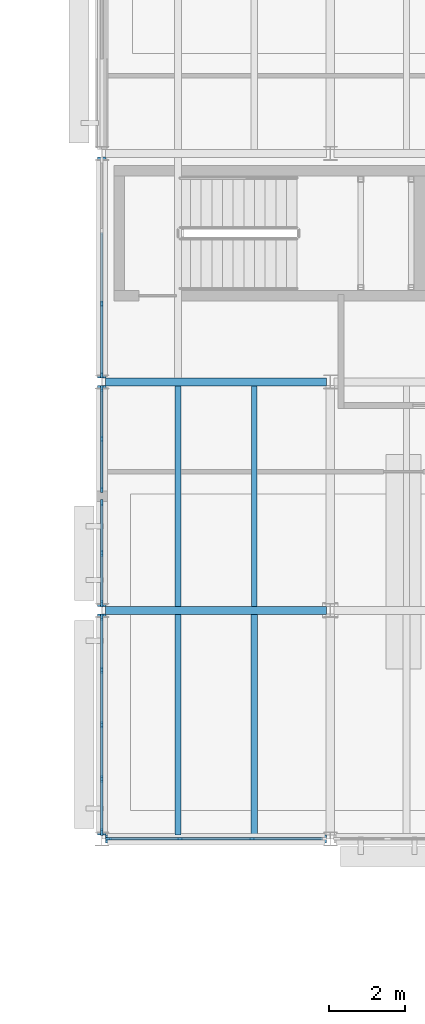
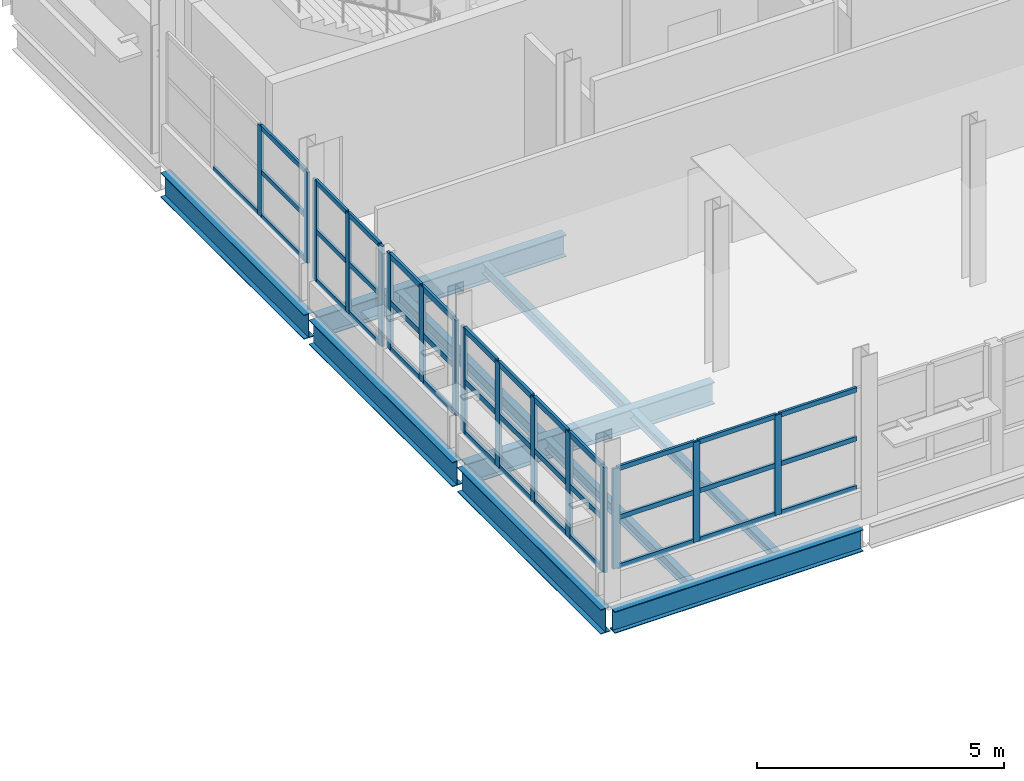
# One storey, part 33 of 92: 53 members, 10 beams, 5 elements without a shape of their own.
"""IFC4 building model written with IfcOpenShell, lengths in metres."""

from ifc_helpers import new_model, si_unit, direction, frame, origin, origin_2d, place, context, subcontext, project, spatial, rectangle, i_section, extrude, material, material_profile, profile_set, type_object, element, aggregate, save


model = new_model("IFC4")

# Units and contexts
model_context = context("Model", 3, precision=1e-05, world=origin(), true_north=direction((0.0, 1.0)))
body_context = subcontext(model_context, "Body", "Model", "MODEL_VIEW")
ifc_project = project(units=[si_unit("LENGTHUNIT", "METRE"), si_unit("AREAUNIT", "SQUARE_METRE"), si_unit("VOLUMEUNIT", "CUBIC_METRE"), si_unit("PLANEANGLEUNIT", "RADIAN"), si_unit("MASSUNIT", "GRAM", prefix="KILO")], contexts=[model_context])

# Site, building, storey
site_placement = place(None, origin())
site = spatial("IfcSite", under=ifc_project, at=site_placement, CompositionType="ELEMENT")
building_placement = place(site_placement, origin())
building = spatial("IfcBuilding", under=site, at=building_placement, Name="Siltcreek Boulevard Central Fire Station", CompositionType="ELEMENT")
storey_placement = place(building_placement, frame((0.0, 0.0, 6.0)))
storey = spatial("IfcBuildingStorey", under=building, at=storey_placement, Name="L02", CompositionType="ELEMENT", Elevation=6.0)

# Beams
ifc_material_1 = material(Name="Structural steel ASTM A992 Gr50", Category="steel")
ifc_material_profile_1 = material_profile(ifc_material_1, i_section(OverallWidth=0.2109375, OverallDepth=0.5390625, WebThickness=0.01171875, FlangeThickness=0.018798828125, at=origin_2d()), Name="W530X109")
ifc_profile_set_1 = profile_set([ifc_material_profile_1], Name="Structural steel ASTM A992 Gr50")
beam_type_1 = type_object("IfcBeamType", Name="BM_W530X109", PredefinedType="BEAM", material=ifc_profile_set_1)
for number, where, z_axis, x_axis, name in (
    (1, (124.300048828125, 88.199951171875, -0.589599609375), (1.0, 0.0, 0.0), (0.0, 1.0, 0.0), "L02 primary steel girder GX-0169"),
    (2, (124.300048828125, 94.199951171875, -0.589599609375), (1.0, 0.0, 0.0), (0.0, 1.0, 0.0), "L02 primary steel girder GX-0176"),
    (3, (124.300048828125, 100.199951171875, -0.589599609375), (1.0, 0.0, 0.0), (0.0, 1.0, 0.0), "L02 primary steel girder GX-0183"),
):
    element("IfcBeam", number, at=place(storey_placement, frame(where, z_axis=z_axis, x_axis=x_axis)), inside=storey, type_object=beam_type_1, Name=name, PredefinedType="BEAM", context=body_context, shape_type="SweptSolid", body=[
        extrude(i_section(OverallWidth=0.2109375, OverallDepth=0.5390625, WebThickness=0.01171875, FlangeThickness=0.018798828125, at=origin_2d()), origin(), (0.0, 0.0, 1.0), 5.800048828125),
    ])
ifc_material_profile_2 = material_profile(ifc_material_1, i_section(OverallWidth=0.22802734375, OverallDepth=0.60791015625, WebThickness=0.01123046875, FlangeThickness=0.017333984375, at=origin_2d()), Name="W610X113")
ifc_profile_set_2 = profile_set([ifc_material_profile_2], Name="Structural steel ASTM A992 Gr50")
beam_type_2 = type_object("IfcBeamType", Name="BM_W610X113", PredefinedType="BEAM", material=ifc_profile_set_2)
for number, where, z_axis, x_axis, name in (
    (4, (124.199951171875, 88.300048828125, -0.6240234375), (0.0, 1.0, 0.0), (-1.0, 0.0, 0.0), "L02 primary steel girder GY-0204"),
    (5, (124.199951171875, 94.300048828125, -0.6240234375), (0.0, 1.0, 0.0), (-1.0, 0.0, 0.0), "L02 primary steel girder GY-0205"),
    (6, (124.199951171875, 100.300048828125, -0.6240234375), (0.0, 1.0, 0.0), (-1.0, 0.0, 0.0), "L02 primary steel girder GY-0206"),
):
    element("IfcBeam", number, at=place(storey_placement, frame(where, z_axis=z_axis, x_axis=x_axis)), inside=storey, type_object=beam_type_2, Name=name, PredefinedType="BEAM", context=body_context, shape_type="SweptSolid", body=[
        extrude(i_section(OverallWidth=0.22802734375, OverallDepth=0.60791015625, WebThickness=0.01123046875, FlangeThickness=0.017333984375, at=origin_2d()), origin(), (0.0, 0.0, 1.0), 5.800048828125),
    ])

# Curtain wall, members
ifc_material_2 = material(Name="Anodized aluminum and low-E insulated glazing", Category="aluminium")
curtain_wall_type_1 = type_object("IfcCurtainWallType", Name="CW_SYS_04", PredefinedType="USERDEFINED", material=ifc_material_2)
curtain_wall_1_placement = place(storey_placement, origin())
curtain_wall_1 = element("IfcCurtainWall", 7, at=curtain_wall_1_placement, inside=storey, type_object=curtain_wall_type_1, Name="L02 V5 unitised curtain wall CW-123", ObjectType="CURTAIN WALL", PredefinedType="USERDEFINED")
ifc_material_3 = material(Name="Anodized 6063-T6 aluminum framing", Category="aluminium")
ifc_material_profile_3 = material_profile(ifc_material_3, rectangle(XDim=0.06005859375, YDim=0.14990234375, at=origin_2d()), Name="MULL60X150")
ifc_profile_set_3 = profile_set([ifc_material_profile_3], Name="Anodized 6063-T6 aluminum framing")
member_type_1 = type_object("IfcMemberType", Name="CWM_60X150", PredefinedType="MULLION", material=ifc_profile_set_3)
member_1_placement = place(storey_placement, frame((124.375, 88.199951171875, 0.679931640625), z_axis=(0.0, 0.0, 1.0), x_axis=(0.0, 1.0, 0.0)))
member_1 = element("IfcMember", 8, at=member_1_placement, type_object=member_type_1, Name="CW-123 mullion 1", PredefinedType="MULLION", context=body_context, shape_type="SweptSolid", body=[
    extrude(rectangle(XDim=0.06005859375, YDim=0.14990234375, at=origin_2d()), origin(), (0.0, 0.0, 1.0), 2.47314453125),
])
member_2_placement = place(storey_placement, frame((126.248291015625, 88.199951171875, 0.679931640625), z_axis=(0.0, 0.0, 1.0), x_axis=(0.0, 1.0, 0.0)))
member_2 = element("IfcMember", 9, at=member_2_placement, type_object=member_type_1, Name="CW-123 mullion 2", PredefinedType="MULLION", context=body_context, shape_type="SweptSolid", body=[
    extrude(rectangle(XDim=0.06005859375, YDim=0.14990234375, at=origin_2d()), origin(), (0.0, 0.0, 1.0), 2.47314453125),
])
member_3_placement = place(storey_placement, frame((128.151611328125, 88.199951171875, 0.679931640625), z_axis=(0.0, 0.0, 1.0), x_axis=(0.0, 1.0, 0.0)))
member_3 = element("IfcMember", 10, at=member_3_placement, type_object=member_type_1, Name="CW-123 mullion 3", PredefinedType="MULLION", context=body_context, shape_type="SweptSolid", body=[
    extrude(rectangle(XDim=0.06005859375, YDim=0.14990234375, at=origin_2d()), origin(), (0.0, 0.0, 1.0), 2.47314453125),
])

curtain_wall_type_2 = type_object("IfcCurtainWallType", Name="CW_SYS_22", PredefinedType="USERDEFINED", material=ifc_material_2)
curtain_wall_2_placement = place(storey_placement, origin())
curtain_wall_2 = element("IfcCurtainWall", 11, at=curtain_wall_2_placement, inside=storey, type_object=curtain_wall_type_2, Name="L02 V5 unitised curtain wall CW-141", ObjectType="CURTAIN WALL", PredefinedType="USERDEFINED")
member_4_placement = place(storey_placement, frame((124.199951171875, 100.02490234375, 0.679931640625), z_axis=(0.0, 0.0, 1.0), x_axis=(1.0, 0.0, 0.0)))
member_4 = element("IfcMember", 12, at=member_4_placement, type_object=member_type_1, Name="CW-141 mullion 1", PredefinedType="MULLION", context=body_context, shape_type="SweptSolid", body=[
    extrude(rectangle(XDim=0.06005859375, YDim=0.14990234375, at=origin_2d()), origin(), (0.0, 0.0, 1.0), 2.47705078125),
])
member_5_placement = place(storey_placement, frame((124.199951171875, 98.697509765625, 0.679931640625), z_axis=(0.0, 0.0, 1.0), x_axis=(1.0, 0.0, 0.0)))
member_5 = element("IfcMember", 13, at=member_5_placement, type_object=member_type_1, Name="CW-141 mullion 2", PredefinedType="MULLION", context=body_context, shape_type="SweptSolid", body=[
    extrude(rectangle(XDim=0.06005859375, YDim=0.14990234375, at=origin_2d()), origin(), (0.0, 0.0, 1.0), 2.47705078125),
])
member_6_placement = place(storey_placement, frame((124.199951171875, 97.3701171875, 0.679931640625), z_axis=(0.0, 0.0, 1.0), x_axis=(1.0, 0.0, 0.0)))
member_6 = element("IfcMember", 14, at=member_6_placement, type_object=member_type_1, Name="CW-141 mullion 3", PredefinedType="MULLION", context=body_context, shape_type="SweptSolid", body=[
    extrude(rectangle(XDim=0.06005859375, YDim=0.14990234375, at=origin_2d()), origin(), (0.0, 0.0, 1.0), 2.47705078125),
])

curtain_wall_type_3 = type_object("IfcCurtainWallType", Name="CW_SYS_24", PredefinedType="USERDEFINED", material=ifc_material_2)
curtain_wall_3_placement = place(storey_placement, origin())
curtain_wall_3 = element("IfcCurtainWall", 15, at=curtain_wall_3_placement, inside=storey, type_object=curtain_wall_type_3, Name="L02 V5 unitised curtain wall CW-143", ObjectType="CURTAIN WALL", PredefinedType="USERDEFINED")
member_7_placement = place(storey_placement, frame((124.199951171875, 102.248291015625, 0.919921875), z_axis=(0.0, 0.0, 1.0), x_axis=(1.0, 0.0, 0.0)))
member_7 = element("IfcMember", 16, at=member_7_placement, type_object=member_type_1, Name="CW-143 mullion 3", PredefinedType="MULLION", context=body_context, shape_type="SweptSolid", body=[
    extrude(rectangle(XDim=0.06005859375, YDim=0.14990234375, at=origin_2d()), origin(), (0.0, 0.0, 1.0), 2.237060546875),
])
member_8_placement = place(storey_placement, frame((124.199951171875, 100.375, 0.919921875), z_axis=(0.0, 0.0, 1.0), x_axis=(1.0, 0.0, 0.0)))
member_8 = element("IfcMember", 17, at=member_8_placement, type_object=member_type_1, Name="CW-143 mullion 4", PredefinedType="MULLION", context=body_context, shape_type="SweptSolid", body=[
    extrude(rectangle(XDim=0.06005859375, YDim=0.14990234375, at=origin_2d()), origin(), (0.0, 0.0, 1.0), 2.237060546875),
])

curtain_wall_type_4 = type_object("IfcCurtainWallType", Name="CW_SYS_21", PredefinedType="USERDEFINED", material=ifc_material_2)
curtain_wall_4_placement = place(storey_placement, origin())
curtain_wall_4 = element("IfcCurtainWall", 18, at=curtain_wall_4_placement, inside=storey, type_object=curtain_wall_type_4, Name="L02 V5 unitised curtain wall CW-140", ObjectType="CURTAIN WALL", PredefinedType="USERDEFINED")
ifc_material_profile_4 = material_profile(ifc_material_3, rectangle(XDim=0.06494140625, YDim=0.175048828125, at=origin_2d()), Name="MULL65X175")
ifc_profile_set_4 = profile_set([ifc_material_profile_4], Name="Anodized 6063-T6 aluminum framing")
member_type_2 = type_object("IfcMemberType", Name="CWM_65X175", PredefinedType="MULLION", material=ifc_profile_set_4)
member_9_placement = place(storey_placement, frame((124.199951171875, 94.0224609375, 0.56005859375), z_axis=(0.0, 0.0, 1.0), x_axis=(1.0, 0.0, 0.0)))
member_9 = element("IfcMember", 19, at=member_9_placement, type_object=member_type_2, Name="CW-140 mullion 1", PredefinedType="MULLION", context=body_context, shape_type="SweptSolid", body=[
    extrude(rectangle(XDim=0.06494140625, YDim=0.175048828125, at=origin_2d()), origin(), (0.0, 0.0, 1.0), 2.596923828125),
])
member_10_placement = place(storey_placement, frame((124.199951171875, 92.62744140625, 0.56005859375), z_axis=(0.0, 0.0, 1.0), x_axis=(1.0, 0.0, 0.0)))
member_10 = element("IfcMember", 20, at=member_10_placement, type_object=member_type_2, Name="CW-140 mullion 2", PredefinedType="MULLION", context=body_context, shape_type="SweptSolid", body=[
    extrude(rectangle(XDim=0.06494140625, YDim=0.175048828125, at=origin_2d()), origin(), (0.0, 0.0, 1.0), 2.596923828125),
])
member_11_placement = place(storey_placement, frame((124.199951171875, 91.199951171875, 0.56005859375), z_axis=(0.0, 0.0, 1.0), x_axis=(1.0, 0.0, 0.0)))
member_11 = element("IfcMember", 21, at=member_11_placement, type_object=member_type_2, Name="CW-140 mullion 3", PredefinedType="MULLION", context=body_context, shape_type="SweptSolid", body=[
    extrude(rectangle(XDim=0.06494140625, YDim=0.175048828125, at=origin_2d()), origin(), (0.0, 0.0, 1.0), 2.596923828125),
])
member_12_placement = place(storey_placement, frame((124.199951171875, 89.7724609375, 0.56005859375), z_axis=(0.0, 0.0, 1.0), x_axis=(1.0, 0.0, 0.0)))
member_12 = element("IfcMember", 22, at=member_12_placement, type_object=member_type_2, Name="CW-140 mullion 4", PredefinedType="MULLION", context=body_context, shape_type="SweptSolid", body=[
    extrude(rectangle(XDim=0.06494140625, YDim=0.175048828125, at=origin_2d()), origin(), (0.0, 0.0, 1.0), 2.596923828125),
])
member_13_placement = place(storey_placement, frame((124.199951171875, 88.37744140625, 0.56005859375), z_axis=(0.0, 0.0, 1.0), x_axis=(1.0, 0.0, 0.0)))
member_13 = element("IfcMember", 23, at=member_13_placement, type_object=member_type_2, Name="CW-140 mullion 5", PredefinedType="MULLION", context=body_context, shape_type="SweptSolid", body=[
    extrude(rectangle(XDim=0.06494140625, YDim=0.175048828125, at=origin_2d()), origin(), (0.0, 0.0, 1.0), 2.596923828125),
])

curtain_wall_type_5 = type_object("IfcCurtainWallType", Name="CW_SYS_23", PredefinedType="USERDEFINED", material=ifc_material_2)
curtain_wall_5_placement = place(storey_placement, origin())
curtain_wall_5 = element("IfcCurtainWall", 24, at=curtain_wall_5_placement, inside=storey, type_object=curtain_wall_type_5, Name="L02 V5 unitised curtain wall CW-142", ObjectType="CURTAIN WALL", PredefinedType="USERDEFINED")
member_14_placement = place(storey_placement, frame((124.199951171875, 97.027587890625, 0.800048828125), z_axis=(0.0, 0.0, 1.0), x_axis=(1.0, 0.0, 0.0)))
member_14 = element("IfcMember", 25, at=member_14_placement, type_object=member_type_2, Name="CW-142 mullion 1", PredefinedType="MULLION", context=body_context, shape_type="SweptSolid", body=[
    extrude(rectangle(XDim=0.06494140625, YDim=0.175048828125, at=origin_2d()), origin(), (0.0, 0.0, 1.0), 2.35693359375),
])
member_15_placement = place(storey_placement, frame((124.199951171875, 95.702392578125, 0.800048828125), z_axis=(0.0, 0.0, 1.0), x_axis=(1.0, 0.0, 0.0)))
member_15 = element("IfcMember", 26, at=member_15_placement, type_object=member_type_2, Name="CW-142 mullion 2", PredefinedType="MULLION", context=body_context, shape_type="SweptSolid", body=[
    extrude(rectangle(XDim=0.06494140625, YDim=0.175048828125, at=origin_2d()), origin(), (0.0, 0.0, 1.0), 2.35693359375),
])
member_16_placement = place(storey_placement, frame((124.199951171875, 94.37744140625, 0.800048828125), z_axis=(0.0, 0.0, 1.0), x_axis=(1.0, 0.0, 0.0)))
member_16 = element("IfcMember", 27, at=member_16_placement, type_object=member_type_2, Name="CW-142 mullion 3", PredefinedType="MULLION", context=body_context, shape_type="SweptSolid", body=[
    extrude(rectangle(XDim=0.06494140625, YDim=0.175048828125, at=origin_2d()), origin(), (0.0, 0.0, 1.0), 2.35693359375),
])

# Member
ifc_material_profile_5 = material_profile(ifc_material_3, rectangle(XDim=0.06005859375, YDim=0.114990234375, at=origin_2d()), Name="TRAN60X115")
ifc_profile_set_5 = profile_set([ifc_material_profile_5], Name="Anodized 6063-T6 aluminum framing")
member_type_3 = type_object("IfcMemberType", Name="CWT_60X115", PredefinedType="USERDEFINED", material=ifc_profile_set_5)
member_17_placement = place(storey_placement, frame((124.405029296875, 88.199951171875, 0.7099609375), z_axis=(1.0, 0.0, 0.0), x_axis=(0.0, 1.0, 0.0)))
member_17 = element("IfcMember", 28, at=member_17_placement, type_object=member_type_3, Name="CW-123 transom 1.1", ObjectType="TRANSOM", PredefinedType="USERDEFINED", context=body_context, shape_type="SweptSolid", body=[
    extrude(rectangle(XDim=0.06005859375, YDim=0.114990234375, at=origin_2d()), origin(), (0.0, 0.0, 1.0), 1.813232421875),
])

member_18_placement = place(storey_placement, frame((124.405029296875, 88.199951171875, 1.91650390625), z_axis=(1.0, 0.0, 0.0), x_axis=(0.0, 1.0, 0.0)))
member_18 = element("IfcMember", 29, at=member_18_placement, type_object=member_type_3, Name="CW-123 transom 1.2", ObjectType="TRANSOM", PredefinedType="USERDEFINED", context=body_context, shape_type="SweptSolid", body=[
    extrude(rectangle(XDim=0.06005859375, YDim=0.114990234375, at=origin_2d()), origin(), (0.0, 0.0, 1.0), 1.813232421875),
])

member_19_placement = place(storey_placement, frame((124.405029296875, 88.199951171875, 3.123046875), z_axis=(1.0, 0.0, 0.0), x_axis=(0.0, 1.0, 0.0)))
member_19 = element("IfcMember", 30, at=member_19_placement, type_object=member_type_3, Name="CW-123 transom 1.3", ObjectType="TRANSOM", PredefinedType="USERDEFINED", context=body_context, shape_type="SweptSolid", body=[
    extrude(rectangle(XDim=0.06005859375, YDim=0.114990234375, at=origin_2d()), origin(), (0.0, 0.0, 1.0), 1.813232421875),
])

member_20_placement = place(storey_placement, frame((126.2783203125, 88.199951171875, 0.7099609375), z_axis=(1.0, 0.0, 0.0), x_axis=(0.0, 1.0, 0.0)))
member_20 = element("IfcMember", 31, at=member_20_placement, type_object=member_type_3, Name="CW-123 transom 2.1", ObjectType="TRANSOM", PredefinedType="USERDEFINED", context=body_context, shape_type="SweptSolid", body=[
    extrude(rectangle(XDim=0.06005859375, YDim=0.114990234375, at=origin_2d()), origin(), (0.0, 0.0, 1.0), 1.84326171875),
])

member_21_placement = place(storey_placement, frame((126.2783203125, 88.199951171875, 1.91650390625), z_axis=(1.0, 0.0, 0.0), x_axis=(0.0, 1.0, 0.0)))
member_21 = element("IfcMember", 32, at=member_21_placement, type_object=member_type_3, Name="CW-123 transom 2.2", ObjectType="TRANSOM", PredefinedType="USERDEFINED", context=body_context, shape_type="SweptSolid", body=[
    extrude(rectangle(XDim=0.06005859375, YDim=0.114990234375, at=origin_2d()), origin(), (0.0, 0.0, 1.0), 1.84326171875),
])

member_22_placement = place(storey_placement, frame((126.2783203125, 88.199951171875, 3.123046875), z_axis=(1.0, 0.0, 0.0), x_axis=(0.0, 1.0, 0.0)))
member_22 = element("IfcMember", 33, at=member_22_placement, type_object=member_type_3, Name="CW-123 transom 2.3", ObjectType="TRANSOM", PredefinedType="USERDEFINED", context=body_context, shape_type="SweptSolid", body=[
    extrude(rectangle(XDim=0.06005859375, YDim=0.114990234375, at=origin_2d()), origin(), (0.0, 0.0, 1.0), 1.84326171875),
])

member_23_placement = place(storey_placement, frame((128.181640625, 88.199951171875, 0.7099609375), z_axis=(1.0, 0.0, 0.0), x_axis=(0.0, 1.0, 0.0)))
member_23 = element("IfcMember", 34, at=member_23_placement, type_object=member_type_3, Name="CW-123 transom 3.1", ObjectType="TRANSOM", PredefinedType="USERDEFINED", context=body_context, shape_type="SweptSolid", body=[
    extrude(rectangle(XDim=0.06005859375, YDim=0.114990234375, at=origin_2d()), origin(), (0.0, 0.0, 1.0), 1.8134765625),
])

member_24_placement = place(storey_placement, frame((128.181640625, 88.199951171875, 1.91650390625), z_axis=(1.0, 0.0, 0.0), x_axis=(0.0, 1.0, 0.0)))
member_24 = element("IfcMember", 35, at=member_24_placement, type_object=member_type_3, Name="CW-123 transom 3.2", ObjectType="TRANSOM", PredefinedType="USERDEFINED", context=body_context, shape_type="SweptSolid", body=[
    extrude(rectangle(XDim=0.06005859375, YDim=0.114990234375, at=origin_2d()), origin(), (0.0, 0.0, 1.0), 1.8134765625),
])

member_25_placement = place(storey_placement, frame((128.181640625, 88.199951171875, 3.123046875), z_axis=(1.0, 0.0, 0.0), x_axis=(0.0, 1.0, 0.0)))
member_25 = element("IfcMember", 36, at=member_25_placement, type_object=member_type_3, Name="CW-123 transom 3.3", ObjectType="TRANSOM", PredefinedType="USERDEFINED", context=body_context, shape_type="SweptSolid", body=[
    extrude(rectangle(XDim=0.06005859375, YDim=0.114990234375, at=origin_2d()), origin(), (0.0, 0.0, 1.0), 1.8134765625),
])

aggregate(curtain_wall_1, [member_1, member_2, member_3, member_17, member_18, member_19, member_20, member_21, member_22, member_23, member_24, member_25])

member_26_placement = place(storey_placement, frame((124.199951171875, 99.9951171875, 0.7099609375), z_axis=(0.0, -1.0, 0.0), x_axis=(1.0, 0.0, 0.0)))
member_26 = element("IfcMember", 37, at=member_26_placement, type_object=member_type_3, Name="CW-141 transom 1.1", ObjectType="TRANSOM", PredefinedType="USERDEFINED", context=body_context, shape_type="SweptSolid", body=[
    extrude(rectangle(XDim=0.06005859375, YDim=0.114990234375, at=origin_2d()), origin(), (0.0, 0.0, 1.0), 1.267578125),
])

member_27_placement = place(storey_placement, frame((124.199951171875, 99.9951171875, 1.91845703125), z_axis=(0.0, -1.0, 0.0), x_axis=(1.0, 0.0, 0.0)))
member_27 = element("IfcMember", 38, at=member_27_placement, type_object=member_type_3, Name="CW-141 transom 1.2", ObjectType="TRANSOM", PredefinedType="USERDEFINED", context=body_context, shape_type="SweptSolid", body=[
    extrude(rectangle(XDim=0.06005859375, YDim=0.114990234375, at=origin_2d()), origin(), (0.0, 0.0, 1.0), 1.267578125),
])

member_28_placement = place(storey_placement, frame((124.199951171875, 99.9951171875, 3.126953125), z_axis=(0.0, -1.0, 0.0), x_axis=(1.0, 0.0, 0.0)))
member_28 = element("IfcMember", 39, at=member_28_placement, type_object=member_type_3, Name="CW-141 transom 1.3", ObjectType="TRANSOM", PredefinedType="USERDEFINED", context=body_context, shape_type="SweptSolid", body=[
    extrude(rectangle(XDim=0.06005859375, YDim=0.114990234375, at=origin_2d()), origin(), (0.0, 0.0, 1.0), 1.267578125),
])

member_29_placement = place(storey_placement, frame((124.199951171875, 98.66748046875, 0.7099609375), z_axis=(0.0, -1.0, 0.0), x_axis=(1.0, 0.0, 0.0)))
member_29 = element("IfcMember", 40, at=member_29_placement, type_object=member_type_3, Name="CW-141 transom 2.1", ObjectType="TRANSOM", PredefinedType="USERDEFINED", context=body_context, shape_type="SweptSolid", body=[
    extrude(rectangle(XDim=0.06005859375, YDim=0.114990234375, at=origin_2d()), origin(), (0.0, 0.0, 1.0), 1.267578125),
])

member_30_placement = place(storey_placement, frame((124.199951171875, 98.66748046875, 1.91845703125), z_axis=(0.0, -1.0, 0.0), x_axis=(1.0, 0.0, 0.0)))
member_30 = element("IfcMember", 41, at=member_30_placement, type_object=member_type_3, Name="CW-141 transom 2.2", ObjectType="TRANSOM", PredefinedType="USERDEFINED", context=body_context, shape_type="SweptSolid", body=[
    extrude(rectangle(XDim=0.06005859375, YDim=0.114990234375, at=origin_2d()), origin(), (0.0, 0.0, 1.0), 1.267578125),
])

member_31_placement = place(storey_placement, frame((124.199951171875, 98.66748046875, 3.126953125), z_axis=(0.0, -1.0, 0.0), x_axis=(1.0, 0.0, 0.0)))
member_31 = element("IfcMember", 42, at=member_31_placement, type_object=member_type_3, Name="CW-141 transom 2.3", ObjectType="TRANSOM", PredefinedType="USERDEFINED", context=body_context, shape_type="SweptSolid", body=[
    extrude(rectangle(XDim=0.06005859375, YDim=0.114990234375, at=origin_2d()), origin(), (0.0, 0.0, 1.0), 1.267578125),
])

aggregate(curtain_wall_2, [member_4, member_5, member_6, member_26, member_27, member_28, member_29, member_30, member_31])

member_32_placement = place(storey_placement, frame((124.199951171875, 104.12158203125, 0.949951171875), z_axis=(0.0, -1.0, 0.0), x_axis=(1.0, 0.0, 0.0)))
member_32 = element("IfcMember", 43, at=member_32_placement, type_object=member_type_3, Name="CW-143 transom 2.1", ObjectType="TRANSOM", PredefinedType="USERDEFINED", context=body_context, shape_type="SweptSolid", body=[
    extrude(rectangle(XDim=0.06005859375, YDim=0.114990234375, at=origin_2d()), origin(), (0.0, 0.0, 1.0), 1.84326171875),
])

member_33_placement = place(storey_placement, frame((124.199951171875, 102.21826171875, 0.949951171875), z_axis=(0.0, -1.0, 0.0), x_axis=(1.0, 0.0, 0.0)))
member_33 = element("IfcMember", 44, at=member_33_placement, type_object=member_type_3, Name="CW-143 transom 3.1", ObjectType="TRANSOM", PredefinedType="USERDEFINED", context=body_context, shape_type="SweptSolid", body=[
    extrude(rectangle(XDim=0.06005859375, YDim=0.114990234375, at=origin_2d()), origin(), (0.0, 0.0, 1.0), 1.813232421875),
])

member_34_placement = place(storey_placement, frame((124.199951171875, 102.21826171875, 2.03857421875), z_axis=(0.0, -1.0, 0.0), x_axis=(1.0, 0.0, 0.0)))
member_34 = element("IfcMember", 45, at=member_34_placement, type_object=member_type_3, Name="CW-143 transom 3.2", ObjectType="TRANSOM", PredefinedType="USERDEFINED", context=body_context, shape_type="SweptSolid", body=[
    extrude(rectangle(XDim=0.06005859375, YDim=0.114990234375, at=origin_2d()), origin(), (0.0, 0.0, 1.0), 1.813232421875),
])

member_35_placement = place(storey_placement, frame((124.199951171875, 102.21826171875, 3.126953125), z_axis=(0.0, -1.0, 0.0), x_axis=(1.0, 0.0, 0.0)))
member_35 = element("IfcMember", 46, at=member_35_placement, type_object=member_type_3, Name="CW-143 transom 3.3", ObjectType="TRANSOM", PredefinedType="USERDEFINED", context=body_context, shape_type="SweptSolid", body=[
    extrude(rectangle(XDim=0.06005859375, YDim=0.114990234375, at=origin_2d()), origin(), (0.0, 0.0, 1.0), 1.813232421875),
])

aggregate(curtain_wall_3, [member_7, member_8, member_32, member_33, member_34, member_35])

ifc_material_profile_6 = material_profile(ifc_material_3, rectangle(XDim=0.06494140625, YDim=0.135009765625, at=origin_2d()), Name="TRAN65X135")
ifc_profile_set_6 = profile_set([ifc_material_profile_6], Name="Anodized 6063-T6 aluminum framing")
member_type_4 = type_object("IfcMemberType", Name="CWT_65X135", PredefinedType="USERDEFINED", material=ifc_profile_set_6)
member_36_placement = place(storey_placement, frame((124.199951171875, 93.989990234375, 0.592529296875), z_axis=(0.0, -1.0, 0.0), x_axis=(1.0, 0.0, 0.0)))
member_36 = element("IfcMember", 47, at=member_36_placement, type_object=member_type_4, Name="CW-140 transom 1.1", ObjectType="TRANSOM", PredefinedType="USERDEFINED", context=body_context, shape_type="SweptSolid", body=[
    extrude(rectangle(XDim=0.06494140625, YDim=0.135009765625, at=origin_2d()), origin(), (0.0, 0.0, 1.0), 1.330078125),
])

member_37_placement = place(storey_placement, frame((124.199951171875, 93.989990234375, 1.8583984375), z_axis=(0.0, -1.0, 0.0), x_axis=(1.0, 0.0, 0.0)))
member_37 = element("IfcMember", 48, at=member_37_placement, type_object=member_type_4, Name="CW-140 transom 1.2", ObjectType="TRANSOM", PredefinedType="USERDEFINED", context=body_context, shape_type="SweptSolid", body=[
    extrude(rectangle(XDim=0.06494140625, YDim=0.135009765625, at=origin_2d()), origin(), (0.0, 0.0, 1.0), 1.330078125),
])

member_38_placement = place(storey_placement, frame((124.199951171875, 93.989990234375, 3.12451171875), z_axis=(0.0, -1.0, 0.0), x_axis=(1.0, 0.0, 0.0)))
member_38 = element("IfcMember", 49, at=member_38_placement, type_object=member_type_4, Name="CW-140 transom 1.3", ObjectType="TRANSOM", PredefinedType="USERDEFINED", context=body_context, shape_type="SweptSolid", body=[
    extrude(rectangle(XDim=0.06494140625, YDim=0.135009765625, at=origin_2d()), origin(), (0.0, 0.0, 1.0), 1.330078125),
])

member_39_placement = place(storey_placement, frame((124.199951171875, 92.594970703125, 0.592529296875), z_axis=(0.0, -1.0, 0.0), x_axis=(1.0, 0.0, 0.0)))
member_39 = element("IfcMember", 50, at=member_39_placement, type_object=member_type_4, Name="CW-140 transom 2.1", ObjectType="TRANSOM", PredefinedType="USERDEFINED", context=body_context, shape_type="SweptSolid", body=[
    extrude(rectangle(XDim=0.06494140625, YDim=0.135009765625, at=origin_2d()), origin(), (0.0, 0.0, 1.0), 1.362548828125),
])

member_40_placement = place(storey_placement, frame((124.199951171875, 92.594970703125, 1.8583984375), z_axis=(0.0, -1.0, 0.0), x_axis=(1.0, 0.0, 0.0)))
member_40 = element("IfcMember", 51, at=member_40_placement, type_object=member_type_4, Name="CW-140 transom 2.2", ObjectType="TRANSOM", PredefinedType="USERDEFINED", context=body_context, shape_type="SweptSolid", body=[
    extrude(rectangle(XDim=0.06494140625, YDim=0.135009765625, at=origin_2d()), origin(), (0.0, 0.0, 1.0), 1.362548828125),
])

member_41_placement = place(storey_placement, frame((124.199951171875, 92.594970703125, 3.12451171875), z_axis=(0.0, -1.0, 0.0), x_axis=(1.0, 0.0, 0.0)))
member_41 = element("IfcMember", 52, at=member_41_placement, type_object=member_type_4, Name="CW-140 transom 2.3", ObjectType="TRANSOM", PredefinedType="USERDEFINED", context=body_context, shape_type="SweptSolid", body=[
    extrude(rectangle(XDim=0.06494140625, YDim=0.135009765625, at=origin_2d()), origin(), (0.0, 0.0, 1.0), 1.362548828125),
])

member_42_placement = place(storey_placement, frame((124.199951171875, 91.16748046875, 0.592529296875), z_axis=(0.0, -1.0, 0.0), x_axis=(1.0, 0.0, 0.0)))
member_42 = element("IfcMember", 53, at=member_42_placement, type_object=member_type_4, Name="CW-140 transom 3.1", ObjectType="TRANSOM", PredefinedType="USERDEFINED", context=body_context, shape_type="SweptSolid", body=[
    extrude(rectangle(XDim=0.06494140625, YDim=0.135009765625, at=origin_2d()), origin(), (0.0, 0.0, 1.0), 1.362548828125),
])

member_43_placement = place(storey_placement, frame((124.199951171875, 91.16748046875, 1.8583984375), z_axis=(0.0, -1.0, 0.0), x_axis=(1.0, 0.0, 0.0)))
member_43 = element("IfcMember", 54, at=member_43_placement, type_object=member_type_4, Name="CW-140 transom 3.2", ObjectType="TRANSOM", PredefinedType="USERDEFINED", context=body_context, shape_type="SweptSolid", body=[
    extrude(rectangle(XDim=0.06494140625, YDim=0.135009765625, at=origin_2d()), origin(), (0.0, 0.0, 1.0), 1.362548828125),
])

member_44_placement = place(storey_placement, frame((124.199951171875, 91.16748046875, 3.12451171875), z_axis=(0.0, -1.0, 0.0), x_axis=(1.0, 0.0, 0.0)))
member_44 = element("IfcMember", 55, at=member_44_placement, type_object=member_type_4, Name="CW-140 transom 3.3", ObjectType="TRANSOM", PredefinedType="USERDEFINED", context=body_context, shape_type="SweptSolid", body=[
    extrude(rectangle(XDim=0.06494140625, YDim=0.135009765625, at=origin_2d()), origin(), (0.0, 0.0, 1.0), 1.362548828125),
])

member_45_placement = place(storey_placement, frame((124.199951171875, 89.739990234375, 0.592529296875), z_axis=(0.0, -1.0, 0.0), x_axis=(1.0, 0.0, 0.0)))
member_45 = element("IfcMember", 56, at=member_45_placement, type_object=member_type_4, Name="CW-140 transom 4.1", ObjectType="TRANSOM", PredefinedType="USERDEFINED", context=body_context, shape_type="SweptSolid", body=[
    extrude(rectangle(XDim=0.06494140625, YDim=0.135009765625, at=origin_2d()), origin(), (0.0, 0.0, 1.0), 1.330078125),
])

member_46_placement = place(storey_placement, frame((124.199951171875, 89.739990234375, 1.8583984375), z_axis=(0.0, -1.0, 0.0), x_axis=(1.0, 0.0, 0.0)))
member_46 = element("IfcMember", 57, at=member_46_placement, type_object=member_type_4, Name="CW-140 transom 4.2", ObjectType="TRANSOM", PredefinedType="USERDEFINED", context=body_context, shape_type="SweptSolid", body=[
    extrude(rectangle(XDim=0.06494140625, YDim=0.135009765625, at=origin_2d()), origin(), (0.0, 0.0, 1.0), 1.330078125),
])

member_47_placement = place(storey_placement, frame((124.199951171875, 89.739990234375, 3.12451171875), z_axis=(0.0, -1.0, 0.0), x_axis=(1.0, 0.0, 0.0)))
member_47 = element("IfcMember", 58, at=member_47_placement, type_object=member_type_4, Name="CW-140 transom 4.3", ObjectType="TRANSOM", PredefinedType="USERDEFINED", context=body_context, shape_type="SweptSolid", body=[
    extrude(rectangle(XDim=0.06494140625, YDim=0.135009765625, at=origin_2d()), origin(), (0.0, 0.0, 1.0), 1.330078125),
])

aggregate(curtain_wall_4, [member_9, member_10, member_11, member_12, member_13, member_36, member_37, member_38, member_39, member_40, member_41, member_42, member_43, member_44, member_45, member_46, member_47])

member_48_placement = place(storey_placement, frame((124.199951171875, 96.9951171875, 0.83251953125), z_axis=(0.0, -1.0, 0.0), x_axis=(1.0, 0.0, 0.0)))
member_48 = element("IfcMember", 59, at=member_48_placement, type_object=member_type_4, Name="CW-142 transom 1.1", ObjectType="TRANSOM", PredefinedType="USERDEFINED", context=body_context, shape_type="SweptSolid", body=[
    extrude(rectangle(XDim=0.06494140625, YDim=0.135009765625, at=origin_2d()), origin(), (0.0, 0.0, 1.0), 1.260009765625),
])

member_49_placement = place(storey_placement, frame((124.199951171875, 96.9951171875, 1.978515625), z_axis=(0.0, -1.0, 0.0), x_axis=(1.0, 0.0, 0.0)))
member_49 = element("IfcMember", 60, at=member_49_placement, type_object=member_type_4, Name="CW-142 transom 1.2", ObjectType="TRANSOM", PredefinedType="USERDEFINED", context=body_context, shape_type="SweptSolid", body=[
    extrude(rectangle(XDim=0.06494140625, YDim=0.135009765625, at=origin_2d()), origin(), (0.0, 0.0, 1.0), 1.260009765625),
])

member_50_placement = place(storey_placement, frame((124.199951171875, 96.9951171875, 3.12451171875), z_axis=(0.0, -1.0, 0.0), x_axis=(1.0, 0.0, 0.0)))
member_50 = element("IfcMember", 61, at=member_50_placement, type_object=member_type_4, Name="CW-142 transom 1.3", ObjectType="TRANSOM", PredefinedType="USERDEFINED", context=body_context, shape_type="SweptSolid", body=[
    extrude(rectangle(XDim=0.06494140625, YDim=0.135009765625, at=origin_2d()), origin(), (0.0, 0.0, 1.0), 1.260009765625),
])

member_51_placement = place(storey_placement, frame((124.199951171875, 95.669921875, 0.83251953125), z_axis=(0.0, -1.0, 0.0), x_axis=(1.0, 0.0, 0.0)))
member_51 = element("IfcMember", 62, at=member_51_placement, type_object=member_type_4, Name="CW-142 transom 2.1", ObjectType="TRANSOM", PredefinedType="USERDEFINED", context=body_context, shape_type="SweptSolid", body=[
    extrude(rectangle(XDim=0.06494140625, YDim=0.135009765625, at=origin_2d()), origin(), (0.0, 0.0, 1.0), 1.260009765625),
])

member_52_placement = place(storey_placement, frame((124.199951171875, 95.669921875, 1.978515625), z_axis=(0.0, -1.0, 0.0), x_axis=(1.0, 0.0, 0.0)))
member_52 = element("IfcMember", 63, at=member_52_placement, type_object=member_type_4, Name="CW-142 transom 2.2", ObjectType="TRANSOM", PredefinedType="USERDEFINED", context=body_context, shape_type="SweptSolid", body=[
    extrude(rectangle(XDim=0.06494140625, YDim=0.135009765625, at=origin_2d()), origin(), (0.0, 0.0, 1.0), 1.260009765625),
])

member_53_placement = place(storey_placement, frame((124.199951171875, 95.669921875, 3.12451171875), z_axis=(0.0, -1.0, 0.0), x_axis=(1.0, 0.0, 0.0)))
member_53 = element("IfcMember", 64, at=member_53_placement, type_object=member_type_4, Name="CW-142 transom 2.3", ObjectType="TRANSOM", PredefinedType="USERDEFINED", context=body_context, shape_type="SweptSolid", body=[
    extrude(rectangle(XDim=0.06494140625, YDim=0.135009765625, at=origin_2d()), origin(), (0.0, 0.0, 1.0), 1.260009765625),
])

aggregate(curtain_wall_5, [member_14, member_15, member_16, member_48, member_49, member_50, member_51, member_52, member_53])

# Beams
ifc_material_profile_7 = material_profile(ifc_material_1, i_section(OverallWidth=0.1650390625, OverallDepth=0.200927734375, WebThickness=0.006103515625, FlangeThickness=0.01025390625, at=origin_2d()), Name="W200X36")
ifc_profile_set_7 = profile_set([ifc_material_profile_7], Name="Structural steel ASTM A992 Gr50")
beam_type_3 = type_object("IfcBeamType", Name="JST_W200X36", PredefinedType="JOIST", material=ifc_profile_set_7)
beam_1_placement = place(storey_placement, frame((128.199951171875, 88.303466796875, -0.42041015625), z_axis=(0.0, 1.0, 0.0), x_axis=(-1.0, 0.0, 0.0)))
element("IfcBeam", 65, at=beam_1_placement, inside=storey, type_object=beam_type_3, Name="L02 secondary steel floor joist 0142", PredefinedType="JOIST", context=body_context, shape_type="SweptSolid", body=[
    extrude(i_section(OverallWidth=0.1650390625, OverallDepth=0.200927734375, WebThickness=0.006103515625, FlangeThickness=0.01025390625, at=origin_2d()), origin(), (0.0, 0.0, 1.0), 5.79296875),
])
ifc_material_profile_8 = material_profile(ifc_material_1, i_section(OverallWidth=0.14697265625, OverallDepth=0.261962890625, WebThickness=0.006591796875, FlangeThickness=0.01123046875, at=origin_2d()), Name="W250X39")
ifc_profile_set_8 = profile_set([ifc_material_profile_8], Name="Structural steel ASTM A992 Gr50")
beam_type_4 = type_object("IfcBeamType", Name="JST_W250X39", PredefinedType="JOIST", material=ifc_profile_set_8)
for number, where, z_axis, x_axis, name in (
    (66, (126.199951171875, 88.303466796875, -0.450927734375), (0.0, 1.0, 0.0), (-1.0, 0.0, 0.0), "L02 secondary steel floor joist 0141"),
    (67, (128.199951171875, 94.303466796875, -0.450927734375), (0.0, 1.0, 0.0), (-1.0, 0.0, 0.0), "L02 secondary steel floor joist 0156"),
):
    element("IfcBeam", number, at=place(storey_placement, frame(where, z_axis=z_axis, x_axis=x_axis)), inside=storey, type_object=beam_type_4, Name=name, PredefinedType="JOIST", context=body_context, shape_type="SweptSolid", body=[
        extrude(i_section(OverallWidth=0.14697265625, OverallDepth=0.261962890625, WebThickness=0.006591796875, FlangeThickness=0.01123046875, at=origin_2d()), origin(), (0.0, 0.0, 1.0), 5.79296875),
    ])
ifc_material_profile_9 = material_profile(ifc_material_1, i_section(OverallWidth=0.166015625, OverallDepth=0.31298828125, WebThickness=0.006591796875, FlangeThickness=0.01123046875, at=origin_2d()), Name="W310X45")
ifc_profile_set_9 = profile_set([ifc_material_profile_9], Name="Structural steel ASTM A992 Gr50")
beam_type_5 = type_object("IfcBeamType", Name="JST_W310X45", PredefinedType="JOIST", material=ifc_profile_set_9)
beam_2_placement = place(storey_placement, frame((126.199951171875, 94.303466796875, -0.4765625), z_axis=(0.0, 1.0, 0.0), x_axis=(-1.0, 0.0, 0.0)))
element("IfcBeam", 68, at=beam_2_placement, inside=storey, type_object=beam_type_5, Name="L02 secondary steel floor joist 0155", PredefinedType="JOIST", context=body_context, shape_type="SweptSolid", body=[
    extrude(i_section(OverallWidth=0.166015625, OverallDepth=0.31298828125, WebThickness=0.006591796875, FlangeThickness=0.01123046875, at=origin_2d()), origin(), (0.0, 0.0, 1.0), 5.79296875),
])

save(model, "model.ifc")
